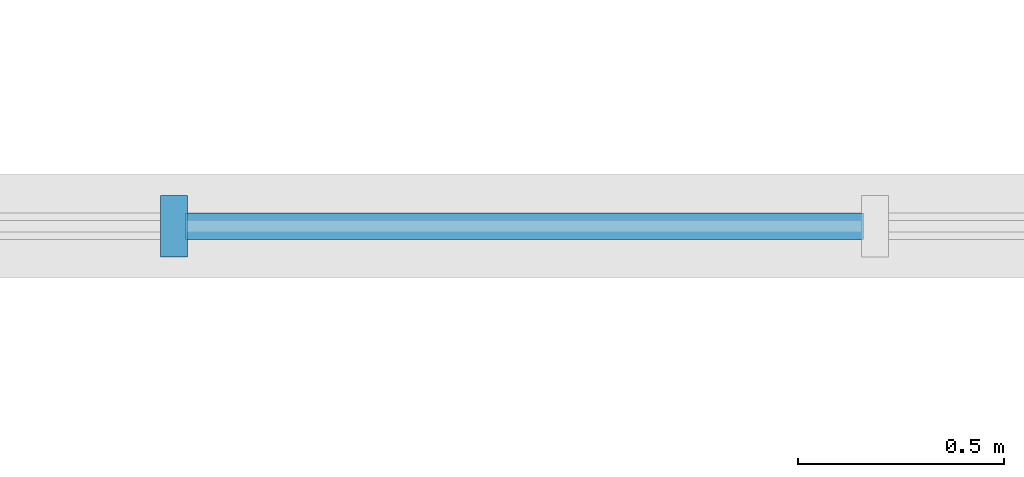
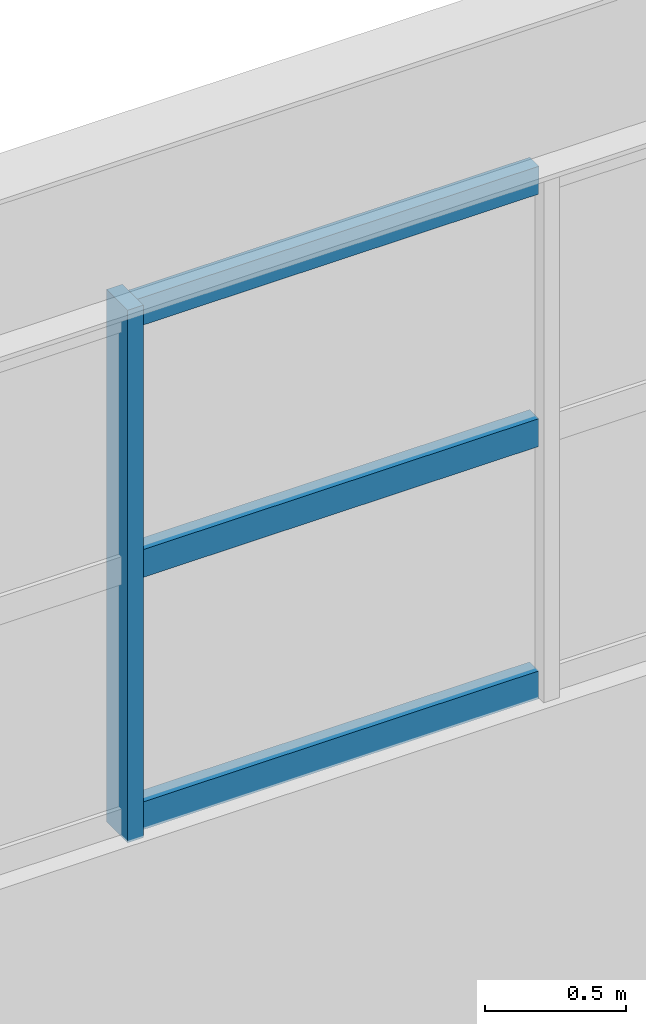
# One storey, part 17 of 92: 4 members, 1 element without a shape of its own.
"""IFC4 building model written with IfcOpenShell, lengths in metres."""

from ifc_helpers import new_model, si_unit, direction, frame, origin, origin_2d, place, context, subcontext, project, spatial, rectangle, extrude, material, material_profile, profile_set, type_object, element, aggregate, save


model = new_model("IFC4")

# Units and contexts
model_context = context("Model", 3, precision=1e-05, world=origin(), true_north=direction((0.0, 1.0)))
body_context = subcontext(model_context, "Body", "Model", "MODEL_VIEW")
ifc_project = project(units=[si_unit("LENGTHUNIT", "METRE"), si_unit("AREAUNIT", "SQUARE_METRE"), si_unit("VOLUMEUNIT", "CUBIC_METRE"), si_unit("PLANEANGLEUNIT", "RADIAN"), si_unit("MASSUNIT", "GRAM", prefix="KILO")], contexts=[model_context])

# Site, building, storey
site_placement = place(None, origin())
site = spatial("IfcSite", under=ifc_project, at=site_placement, CompositionType="ELEMENT")
building_placement = place(site_placement, origin())
building = spatial("IfcBuilding", under=site, at=building_placement, Name="Solanera Park Tramway Depot", CompositionType="ELEMENT")
storey_placement = place(building_placement, frame((0.0, 0.0, 4.800048828125)))
storey = spatial("IfcBuildingStorey", under=building, at=storey_placement, Name="L01", CompositionType="ELEMENT", Elevation=4.800048828125)

# Curtain wall, members
ifc_material_1 = material(Name="Bronze-anodised thermally broken aluminium curtain wall", Category="aluminium")
curtain_wall_type = type_object("IfcCurtainWallType", Name="Workshop Daylight Ribbon Curtain Wall", PredefinedType="NOTDEFINED", material=ifc_material_1)
curtain_wall_placement = place(storey_placement, origin())
curtain_wall = element("IfcCurtainWall", 1, at=curtain_wall_placement, inside=storey, type_object=curtain_wall_type, Name="L01 Workshop Daylight Ribbon Curtain Wall #148", PredefinedType="NOTDEFINED")
ifc_material_2 = material(Name="Bronze-anodised structural aluminium 6063-T6", Category="aluminium")
ifc_material_profile_1 = material_profile(ifc_material_2, rectangle(XDim=0.06494140625, YDim=0.14990234375, at=origin_2d()), Name="Curtain Wall Mullion 65x150")
ifc_profile_set_1 = profile_set([ifc_material_profile_1], Name="Bronze-anodised structural aluminium 6063-T6")
member_type_1 = type_object("IfcMemberType", Name="Curtain Wall Mullion 65x150", PredefinedType="MULLION", material=ifc_profile_set_1)
member_1_placement = place(storey_placement, frame((62.39990234375, 54.0, 1.0), z_axis=(0.0, 0.0, 1.0), x_axis=(1.0, 0.0, 0.0)))
member_1 = element("IfcMember", 2, at=member_1_placement, type_object=member_type_1, Name="CW-L01-148 Mullion 8", PredefinedType="MULLION", context=body_context, shape_type="SweptSolid", body=[
    extrude(rectangle(XDim=0.06494140625, YDim=0.14990234375, at=origin_2d()), origin(), (0.0, 0.0, 1.0), 2.300048828125),
])
ifc_material_3 = material(Name="Bronze-anodised structural aluminium 6063-T6", Category="aluminium")
ifc_material_profile_2 = material_profile(ifc_material_3, rectangle(XDim=0.06494140625, YDim=0.1201171875, at=origin_2d()), Name="Curtain Wall Transom 65x120")
ifc_profile_set_2 = profile_set([ifc_material_profile_2], Name="Bronze-anodised structural aluminium 6063-T6")
member_type_2 = type_object("IfcMemberType", Name="Curtain Wall Transom 65x120", PredefinedType="USERDEFINED", material=ifc_profile_set_2)
member_2_placement = place(storey_placement, frame((64.072021484375, 54.0, 1.06005859375), z_axis=(-1.0, 0.0, 0.0), x_axis=(0.0, -1.0, 0.0)))
member_2 = element("IfcMember", 3, at=member_2_placement, type_object=member_type_2, Name="CW-L01-148 Transom R1.C7", ObjectType="TRANSOM", PredefinedType="USERDEFINED", context=body_context, shape_type="SweptSolid", body=[
    extrude(rectangle(XDim=0.06494140625, YDim=0.1201171875, at=origin_2d()), origin(), (0.0, 0.0, 1.0), 1.64404296875),
])
member_3_placement = place(storey_placement, frame((64.072021484375, 54.0, 2.14990234375), z_axis=(-1.0, 0.0, 0.0), x_axis=(0.0, -1.0, 0.0)))
member_3 = element("IfcMember", 4, at=member_3_placement, type_object=member_type_2, Name="CW-L01-148 Transom R2.C7", ObjectType="TRANSOM", PredefinedType="USERDEFINED", context=body_context, shape_type="SweptSolid", body=[
    extrude(rectangle(XDim=0.06494140625, YDim=0.1201171875, at=origin_2d()), origin(), (0.0, 0.0, 1.0), 1.64404296875),
])
member_4_placement = place(storey_placement, frame((64.072021484375, 54.0, 3.239990234375), z_axis=(-1.0, 0.0, 0.0), x_axis=(0.0, -1.0, 0.0)))
member_4 = element("IfcMember", 5, at=member_4_placement, type_object=member_type_2, Name="CW-L01-148 Transom R3.C7", ObjectType="TRANSOM", PredefinedType="USERDEFINED", context=body_context, shape_type="SweptSolid", body=[
    extrude(rectangle(XDim=0.06494140625, YDim=0.1201171875, at=origin_2d()), origin(), (0.0, 0.0, 1.0), 1.64404296875),
])
aggregate(curtain_wall, [member_1, member_2, member_3, member_4])

save(model, "model.ifc")
